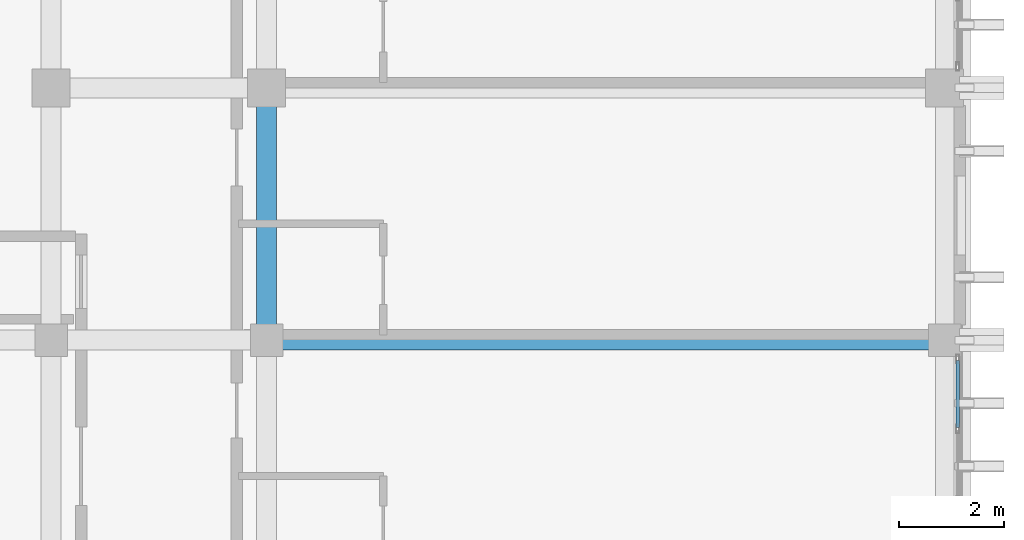
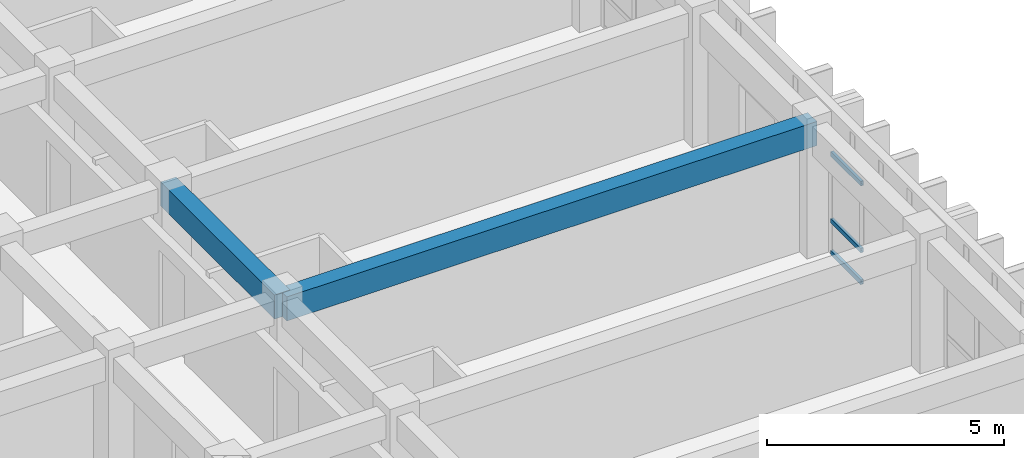
# One storey, part 31 of 59: 3 members, 2 beams, 1 element without a shape of its own.
"""IFC4 building model written with IfcOpenShell, lengths in metres."""

import ifcopenshell
import ifcopenshell.guid

model = None  # the IFC model being written
_history = None  # IfcOwnerHistory: only IFC2X3 demands one
_inside = {}  # id of a spatial element -> (the spatial element, [elements in it])
_under = {}  # id of a project, library or spatial element -> (it, [spatial elements below it])
_declared = {}  # id of a project -> (the project, [libraries it declares])
_typed = {}  # id of a type object -> (the type object, [elements of that type])
_made_of = {}  # id of a material, layer set ... -> (it, [elements and type objects made of it])


def new_model(schema):
    """Start an empty IFC model of exactly this schema.

    Asked for "IFC4X3", IfcOpenShell would pick the latest addendum, in which some entities
    have other attributes; the version numbers below select the first issue.
    IFC2X3 requires an IfcOwnerHistory on every rooted entity: one is made here for all.
    """
    global model, _history
    if schema == "IFC4X3":
        model = ifcopenshell.file(schema_version=(4, 3, 0, 0))
    else:
        model = ifcopenshell.file(schema=schema)
    _inside.clear()
    _under.clear()
    _declared.clear()
    _typed.clear()
    _made_of.clear()
    _history = None
    if model.schema == "IFC2X3":
        org = make("IfcOrganization", Name="unknown")
        user = make(
            "IfcPersonAndOrganization",
            ThePerson=make("IfcPerson", FamilyName="unknown"),
            TheOrganization=org,
        )
        app = make(
            "IfcApplication",
            ApplicationDeveloper=org,
            Version="unknown",
            ApplicationFullName="unknown",
            ApplicationIdentifier="unknown",
        )
        _history = make(
            "IfcOwnerHistory",
            OwningUser=user,
            OwningApplication=app,
            ChangeAction="ADDED",
            CreationDate=0,
        )
    return model


def make(cls, **values):
    """One entity of the class cls with the attributes given. An attribute that is None is left unset."""
    return model.create_entity(
        cls, **{name: value for name, value in values.items() if value is not None}
    )


def rooted(cls, **values):
    """An entity with a GlobalId (a new one), such as an element, a storey or a relation."""
    return make(cls, GlobalId=ifcopenshell.guid.new(), OwnerHistory=_history, **values)


def si_unit(unit_type, name, prefix=None):
    """IfcSIUnit, for example si_unit("LENGTHUNIT", "METRE", prefix="MILLI")."""
    return make("IfcSIUnit", UnitType=unit_type, Prefix=prefix, Name=name)


def assignment(units):
    """IfcUnitAssignment: the units of a project."""
    return None if units is None else make("IfcUnitAssignment", Units=units)


def point(xyz):
    """IfcCartesianPoint."""
    return None if xyz is None else make("IfcCartesianPoint", Coordinates=xyz)


def direction(xyz):
    """IfcDirection."""
    return None if xyz is None else make("IfcDirection", DirectionRatios=xyz)


def frame(location, z_axis=None, x_axis=None):
    """IfcAxis2Placement3D, a coordinate frame: its origin and axes. An axis left out is left unset."""
    return make(
        "IfcAxis2Placement3D",
        Location=point(location),
        Axis=direction(z_axis),
        RefDirection=direction(x_axis),
    )


def frame_2d(location, x_axis=None):
    """IfcAxis2Placement2D, a coordinate frame in the plane: its origin and x axis."""
    return make(
        "IfcAxis2Placement2D", Location=point(location), RefDirection=direction(x_axis)
    )


def origin():
    """The frame at (0, 0, 0) with its axes left unset."""
    return frame((0.0, 0.0, 0.0))


def origin_2d():
    """The frame at (0, 0) in the plane with its x axis left unset."""
    return frame_2d((0.0, 0.0))


def place(relative_to, where):
    """IfcLocalPlacement: puts the frame where relative to a parent placement (None: the world)."""
    return make(
        "IfcLocalPlacement", PlacementRelTo=relative_to, RelativePlacement=where
    )


def context(
    kind, dimensions, precision=None, world=None, true_north=None, identifier=None
):
    """IfcGeometricRepresentationContext, for example the 3D "Model" context."""
    return make(
        "IfcGeometricRepresentationContext",
        ContextIdentifier=identifier,
        ContextType=kind,
        CoordinateSpaceDimension=dimensions,
        Precision=precision,
        WorldCoordinateSystem=world,
        TrueNorth=true_north,
    )


def subcontext(parent, identifier, kind, view, scale=None):
    """IfcGeometricRepresentationSubContext, for example "Body" below "Model"."""
    return make(
        "IfcGeometricRepresentationSubContext",
        ContextIdentifier=identifier,
        ContextType=kind,
        ParentContext=parent,
        TargetScale=scale,
        TargetView=view,
    )


def project(units=None, contexts=None):
    """IfcProject with its units and contexts."""
    return rooted(
        "IfcProject",
        Name="project",
        RepresentationContexts=contexts,
        UnitsInContext=assignment(units),
    )


def spatial(cls, under=None, at=None, **own):
    """A site, building, storey or space (cls), placed at a placement, below another one or the project."""
    s = rooted(cls, ObjectPlacement=at, **own)
    if under is not None:
        _under.setdefault(under.id(), (under, []))[1].append(s)
    return s


def profile(cls, at=None, kind="AREA", **sizes):
    """A parametric profile (cls). Its sizes go by their IFC names, for example OverallWidth=200.0."""
    return make(cls, ProfileType=kind, Position=at, **sizes)


def rectangle(**sizes):
    """IfcRectangleProfileDef."""
    return profile("IfcRectangleProfileDef", **sizes)


def hollow_rectangle(**sizes):
    """IfcRectangleHollowProfileDef."""
    return profile("IfcRectangleHollowProfileDef", **sizes)


def extrude(swept, where, along, depth):
    """IfcExtrudedAreaSolid: the profile swept, set in the frame where, extruded along a direction by depth."""
    return make(
        "IfcExtrudedAreaSolid",
        SweptArea=swept,
        Position=where,
        ExtrudedDirection=direction(along),
        Depth=depth,
    )


def shape(context_of_items, identifier, shape_type, items):
    """IfcShapeRepresentation: the items that make up one representation, for example the "Body"."""
    return make(
        "IfcShapeRepresentation",
        ContextOfItems=context_of_items,
        RepresentationIdentifier=identifier,
        RepresentationType=shape_type,
        Items=items,
    )


def material(Name=None, Category=None):
    """IfcMaterial."""
    return make("IfcMaterial", Name=Name, Category=Category)


def layer(
    of_material, thickness, ventilated=None, Name=None, Category=None, Priority=None
):
    """IfcMaterialLayer: one layer of a wall or slab, of a material (None: an air gap)."""
    return make(
        "IfcMaterialLayer",
        Material=of_material,
        LayerThickness=thickness,
        IsVentilated=ventilated,
        Name=Name,
        Category=Category,
        Priority=Priority,
    )


def layer_set(layers, Name=None):
    """IfcMaterialLayerSet."""
    return make("IfcMaterialLayerSet", MaterialLayers=layers, LayerSetName=Name)


def material_profile(
    of_material, cross_section, Name=None, Category=None, Priority=None
):
    """IfcMaterialProfile: a cross section and its material."""
    return make(
        "IfcMaterialProfile",
        Name=Name,
        Material=of_material,
        Profile=cross_section,
        Priority=Priority,
        Category=Category,
    )


def profile_set(profiles, Name=None, composite=None):
    """IfcMaterialProfileSet."""
    return make(
        "IfcMaterialProfileSet",
        Name=Name,
        MaterialProfiles=profiles,
        CompositeProfile=composite,
    )


def made_of(thing, what):
    """Note that an element or type object is made of a material, layer set ...; save() writes the relation."""
    if what is not None:
        _made_of.setdefault(what.id(), (what, []))[1].append(thing)
    return thing


def type_object(cls, material=None, **own):
    """A type object (cls), such as IfcWallType, which elements share."""
    return made_of(rooted(cls, **own), material)


def element(
    cls,
    number,
    at=None,
    inside=None,
    cuts=None,
    type_object=None,
    material=None,
    context=None,
    identifier="Body",
    shape_type=None,
    held_by="IfcProductDefinitionShape",
    body=None,
    shapes=None,
    **own,
):
    """One element of the class cls, such as IfcWall. Its Tag is "e" and its number.

    at: its placement. inside: the storey or other place that contains it. cuts: it is an
    opening in that element (IfcRelVoidsElement). A single representation is given by context,
    identifier, shape_type and body (its items); several are given by shapes. held_by: the class
    of the entity that holds the representations. save() writes the other relations.
    """
    e = rooted(cls, Tag="e%d" % number, ObjectPlacement=at, **own)
    if body is not None:
        shapes = [shape(context, identifier, shape_type, body)]
    if shapes is not None:
        e.Representation = make(held_by, Representations=shapes)
    if inside is not None:
        _inside.setdefault(inside.id(), (inside, []))[1].append(e)
    if cuts is not None:
        rooted(
            "IfcRelVoidsElement", RelatingBuildingElement=cuts, RelatedOpeningElement=e
        )
    if type_object is not None:
        _typed.setdefault(type_object.id(), (type_object, []))[1].append(e)
    return made_of(e, material)


def aggregate(whole, parts):
    """IfcRelAggregates: a whole, such as a stair, and the parts it consists of."""
    return rooted("IfcRelAggregates", RelatingObject=whole, RelatedObjects=parts)


def save(model, path):
    """Write the relations noted so far, then the file.

    IfcRelAggregates (storeys below a building ...), IfcRelContainedInSpatialStructure (elements
    in a storey), IfcRelDefinesByType, IfcRelAssociatesMaterial and IfcRelDeclares: one each for
    every whole, place, type object, material and project.
    """
    for whole, parts in _under.values():
        aggregate(whole, parts)
    for where, things in _inside.values():
        rooted(
            "IfcRelContainedInSpatialStructure",
            RelatedElements=things,
            RelatingStructure=where,
        )
    for kind, things in _typed.values():
        rooted("IfcRelDefinesByType", RelatedObjects=things, RelatingType=kind)
    for what, things in _made_of.values():
        rooted("IfcRelAssociatesMaterial", RelatedObjects=things, RelatingMaterial=what)
    for by, libraries in _declared.values():
        rooted("IfcRelDeclares", RelatingContext=by, RelatedDefinitions=libraries)
    model.write(path)


model = new_model("IFC4")

# Units and contexts
model_context = context("Model", 3, precision=1e-05, world=origin(), true_north=direction((0.0, 1.0)))
body_context = subcontext(model_context, "Body", "Model", "MODEL_VIEW")
ifc_project = project(units=[si_unit("LENGTHUNIT", "METRE"), si_unit("AREAUNIT", "SQUARE_METRE"), si_unit("VOLUMEUNIT", "CUBIC_METRE"), si_unit("PLANEANGLEUNIT", "RADIAN"), si_unit("MASSUNIT", "GRAM", prefix="KILO")], contexts=[model_context])

# Site, building, storey
site_placement = place(None, origin())
site = spatial("IfcSite", under=ifc_project, at=site_placement, CompositionType="ELEMENT")
building_placement = place(site_placement, origin())
building = spatial("IfcBuilding", under=site, at=building_placement, Name="Nakhvara Creek Congress Hotel", CompositionType="ELEMENT")
storey_placement = place(building_placement, frame((0.0, 0.0, 31.800048828125)))
storey = spatial("IfcBuildingStorey", under=building, at=storey_placement, Name="L07", CompositionType="ELEMENT", Elevation=31.800048828125)

# Beams
ifc_material_1 = material(Name="Concrete C40/50", Category="concrete")
ifc_material_profile_1 = material_profile(ifc_material_1, rectangle(XDim=0.3798828125, YDim=0.6201171875, at=origin_2d()), Name="RC-BM 380x620", Category="LoadBearing")
ifc_profile_set_1 = profile_set([ifc_material_profile_1], Name="Concrete C40/50")
beam_type = type_object("IfcBeamType", Name="BM-RC-380X620", PredefinedType="BEAM", material=ifc_profile_set_1)
beam_1_placement = place(storey_placement, frame((166.449951171875, 100.800048828125, 3.050048828125), z_axis=(0.0, 1.0, 0.0), x_axis=(-1.0, 0.0, 0.0)))
element("IfcBeam", 1, at=beam_1_placement, inside=storey, type_object=beam_type, Name="Beam B10-L07-2384", PredefinedType="BEAM", context=body_context, shape_type="SweptSolid", body=[
    extrude(rectangle(XDim=0.3798828125, YDim=0.6201171875, at=origin_2d()), origin(), (0.0, 0.0, 1.0), 4.800048828125),
])
beam_2_placement = place(storey_placement, frame((166.449951171875, 100.800048828125, 3.050048828125), z_axis=(1.0, 0.0, 0.0), x_axis=(0.0, 1.0, 0.0)))
element("IfcBeam", 2, at=beam_2_placement, inside=storey, type_object=beam_type, Name="Beam B10-L07-2426", PredefinedType="BEAM", context=body_context, shape_type="SweptSolid", body=[
    extrude(rectangle(XDim=0.3798828125, YDim=0.6201171875, at=origin_2d()), origin(), (0.0, 0.0, 1.0), 12.900146484375),
])

# Curtain wall, members
ifc_material_2 = material(Name="Bronze-anodised aluminium AW-6063-T6 and double-silver low-E glass", Category="aluminium")
ifc_layer = layer(ifc_material_2, 0.199951171875)
ifc_layer_set = layer_set([ifc_layer], Name="Bronze-anodised aluminium AW-6063-T6 and double-silver low-E glass")
curtain_wall_type = type_object("IfcCurtainWallType", Name="CW-HTL-UNIT", PredefinedType="USERDEFINED", material=ifc_layer_set)
curtain_wall_placement = place(storey_placement, origin())
curtain_wall = element("IfcCurtainWall", 3, at=curtain_wall_placement, inside=storey, type_object=curtain_wall_type, Name="Curtain Wall CW267", ObjectType="UNITISED", PredefinedType="USERDEFINED")
ifc_material_3 = material(Name="Bronze-anodised aluminium AW-6063-T6", Category="aluminium")
ifc_material_profile_2 = material_profile(ifc_material_3, hollow_rectangle(XDim=0.06494140625, YDim=0.1201171875, WallThickness=0.00390625, at=origin_2d()), Name="ALU-TRAN 65x120x4", Category="LoadBearing")
ifc_profile_set_2 = profile_set([ifc_material_profile_2], Name="Bronze-anodised aluminium AW-6063-T6")
member_type = type_object("IfcMemberType", Name="CW-TRAN-120", PredefinedType="USERDEFINED", material=ifc_profile_set_2)
member_1_placement = place(storey_placement, frame((179.60009765625, 100.409912109375, 0.032470703125), z_axis=(0.0, -1.0, 0.0), x_axis=(1.0, 0.0, 0.0)))
member_1 = element("IfcMember", 4, at=member_1_placement, type_object=member_type, Name="CW267 transom 1.1", ObjectType="TRANSOM", PredefinedType="USERDEFINED", context=body_context, shape_type="SweptSolid", body=[
    extrude(hollow_rectangle(XDim=0.06494140625, YDim=0.1201171875, WallThickness=0.00390625, at=origin_2d()), origin(), (0.0, 0.0, 1.0), 1.26904296875),
])
member_2_placement = place(storey_placement, frame((179.60009765625, 100.409912109375, 0.849853515625), z_axis=(0.0, -1.0, 0.0), x_axis=(1.0, 0.0, 0.0)))
member_2 = element("IfcMember", 5, at=member_2_placement, type_object=member_type, Name="CW267 transom 1.2", ObjectType="TRANSOM", PredefinedType="USERDEFINED", context=body_context, shape_type="SweptSolid", body=[
    extrude(hollow_rectangle(XDim=0.06494140625, YDim=0.1201171875, WallThickness=0.00390625, at=origin_2d()), origin(), (0.0, 0.0, 1.0), 1.26904296875),
])
member_3_placement = place(storey_placement, frame((179.60009765625, 100.409912109375, 2.5693359375), z_axis=(0.0, -1.0, 0.0), x_axis=(1.0, 0.0, 0.0)))
member_3 = element("IfcMember", 6, at=member_3_placement, type_object=member_type, Name="CW267 transom 1.3", ObjectType="TRANSOM", PredefinedType="USERDEFINED", context=body_context, shape_type="SweptSolid", body=[
    extrude(hollow_rectangle(XDim=0.06494140625, YDim=0.1201171875, WallThickness=0.00390625, at=origin_2d()), origin(), (0.0, 0.0, 1.0), 1.26904296875),
])
aggregate(curtain_wall, [member_1, member_2, member_3])

save(model, "model.ifc")
